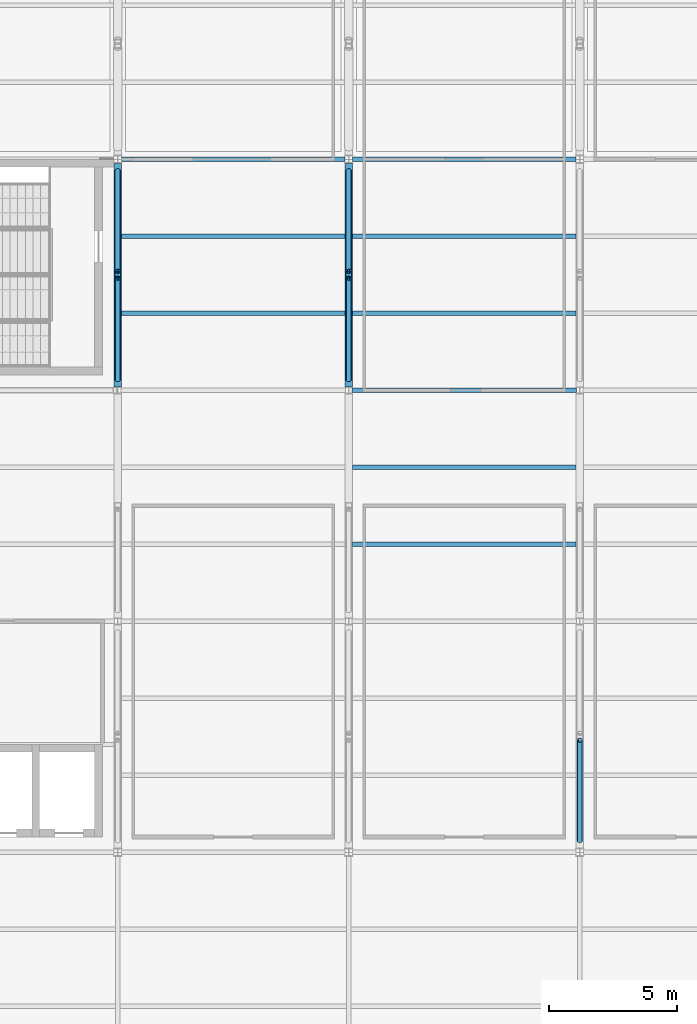
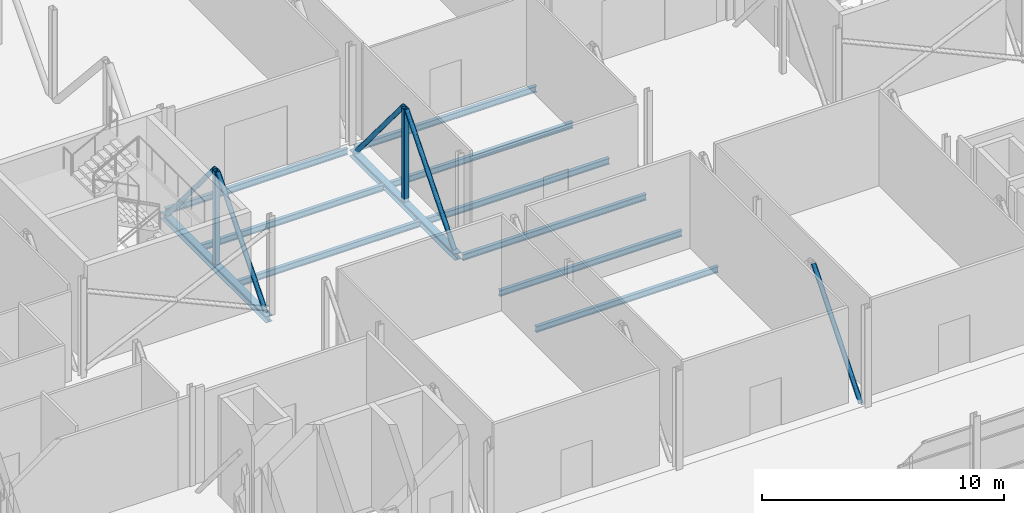
# One storey, part 58 of 94: 11 beams, 7 members.
"""IFC4 building model written with IfcOpenShell, lengths in metres."""

from ifc_helpers import new_model, si_unit, direction, frame, origin, origin_2d, place, context, subcontext, project, spatial, hollow_rectangle, hollow_circle, i_section, extrude, material, material_profile, profile_set, type_object, element, save


model = new_model("IFC4")

# Units and contexts
model_context = context("Model", 3, precision=1e-05, world=origin(), true_north=direction((0.0, 1.0)))
body_context = subcontext(model_context, "Body", "Model", "MODEL_VIEW")
ifc_project = project(units=[si_unit("LENGTHUNIT", "METRE"), si_unit("AREAUNIT", "SQUARE_METRE"), si_unit("VOLUMEUNIT", "CUBIC_METRE"), si_unit("PLANEANGLEUNIT", "RADIAN"), si_unit("MASSUNIT", "GRAM", prefix="KILO")], contexts=[model_context])

# Site, building, storey
site_placement = place(None, origin())
site = spatial("IfcSite", under=ifc_project, at=site_placement, CompositionType="ELEMENT")
building_placement = place(site_placement, origin())
building = spatial("IfcBuilding", under=site, at=building_placement, Name="Shorebreak Coast Museum", CompositionType="ELEMENT")
storey_placement = place(building_placement, frame((0.0, 0.0, 31.0)))
storey = spatial("IfcBuildingStorey", under=building, at=storey_placement, Name="L05", CompositionType="ELEMENT", Elevation=31.0)

# Beams
ifc_material_1 = material(Name="Steel Grade 300", Category="steel")
ifc_material_profile_1 = material_profile(ifc_material_1, i_section(OverallWidth=0.166015625, OverallDepth=0.30712890625, WebThickness=0.006591796875, FlangeThickness=0.01171875, FilletRadius=0.011474609375, at=origin_2d()), Name="310UB46.2")
ifc_profile_set_1 = profile_set([ifc_material_profile_1], Name="Steel Grade 300")
beam_type_1 = type_object("IfcBeamType", Name="Floor girder east-west 310UB46.2", PredefinedType="BEAM", material=ifc_profile_set_1)
beam_placement = place(storey_placement, frame((81.1279296875, 108.0, -0.32861328125), z_axis=(1.0, 0.0, 0.0), x_axis=(0.0, 1.0, 0.0)))
element("IfcBeam", 1, at=beam_placement, inside=storey, type_object=beam_type_1, Name="Floor girder east-west L05 10N", PredefinedType="BEAM", context=body_context, shape_type="SweptSolid", body=[
    extrude(i_section(OverallWidth=0.166015625, OverallDepth=0.30712890625, WebThickness=0.006591796875, FlangeThickness=0.01171875, FilletRadius=0.011474609375, at=origin_2d()), origin(), (0.0, 0.0, 1.0), 8.744140625),
])
for number, where, z_axis, x_axis, name in (
    (2, (72.155517578125, 117.0, -0.32861328125), (1.0, 0.0, 0.0), (0.0, 1.0, 0.0), "Floor girder east-west L05 9P"),
    (3, (81.155517578125, 117.0, -0.32861328125), (1.0, 0.0, 0.0), (0.0, 1.0, 0.0), "Floor girder east-west L05 10P"),
):
    element("IfcBeam", number, at=place(storey_placement, frame(where, z_axis=z_axis, x_axis=x_axis)), inside=storey, type_object=beam_type_1, Name=name, PredefinedType="BEAM", context=body_context, shape_type="SweptSolid", body=[
        extrude(i_section(OverallWidth=0.166015625, OverallDepth=0.30712890625, WebThickness=0.006591796875, FlangeThickness=0.01171875, FilletRadius=0.011474609375, at=origin_2d()), origin(), (0.0, 0.0, 1.0), 8.68896484375),
    ])
ifc_material_2 = material(Name="Steel Grade 300", Category="steel")
ifc_material_profile_2 = material_profile(ifc_material_2, i_section(OverallWidth=0.1650390625, OverallDepth=0.303955078125, WebThickness=0.006103515625, FlangeThickness=0.01025390625, FilletRadius=0.011474609375, at=origin_2d()), Name="310UB40.4")
ifc_profile_set_2 = profile_set([ifc_material_profile_2], Name="Steel Grade 300")
beam_type_2 = type_object("IfcBeamType", Name="Floor joist 310UB40.4", PredefinedType="JOIST", material=ifc_profile_set_2)
for number, where, z_axis, x_axis, name in (
    (4, (81.155517578125, 102.0, -0.326904296875), (1.0, 0.0, 0.0), (0.0, 1.0, 0.0), "Floor joist L05 bay 10M at 3000 mm"),
    (5, (81.155517578125, 105.0, -0.326904296875), (1.0, 0.0, 0.0), (0.0, 1.0, 0.0), "Floor joist L05 bay 10M at 6000 mm"),
    (6, (72.155517578125, 111.0, -0.326904296875), (1.0, 0.0, 0.0), (0.0, 1.0, 0.0), "Floor joist L05 bay 9N at 3000 mm"),
    (7, (72.155517578125, 114.0, -0.326904296875), (1.0, 0.0, 0.0), (0.0, 1.0, 0.0), "Floor joist L05 bay 9N at 6000 mm"),
    (8, (81.155517578125, 111.0, -0.326904296875), (1.0, 0.0, 0.0), (0.0, 1.0, 0.0), "Floor joist L05 bay 10N at 3000 mm"),
    (9, (81.155517578125, 114.0, -0.326904296875), (1.0, 0.0, 0.0), (0.0, 1.0, 0.0), "Floor joist L05 bay 10N at 6000 mm"),
):
    element("IfcBeam", number, at=place(storey_placement, frame(where, z_axis=z_axis, x_axis=x_axis)), inside=storey, type_object=beam_type_2, Name=name, PredefinedType="JOIST", context=body_context, shape_type="SweptSolid", body=[
        extrude(i_section(OverallWidth=0.1650390625, OverallDepth=0.303955078125, WebThickness=0.006103515625, FlangeThickness=0.01025390625, FilletRadius=0.011474609375, at=origin_2d()), origin(), (0.0, 0.0, 1.0), 8.68896484375),
    ])
ifc_material_3 = material(Name="Steel Grade 300", Category="steel")
ifc_material_profile_3 = material_profile(ifc_material_3, i_section(OverallWidth=0.31103515625, OverallDepth=0.3271484375, WebThickness=0.015625, FlangeThickness=0.02490234375, FilletRadius=0.0166015625, at=origin_2d()), Name="310UC158")
ifc_profile_set_3 = profile_set([ifc_material_profile_3], Name="Steel Grade 300")
beam_type_3 = type_object("IfcBeamType", Name="Transfer truss chord 310UC158", PredefinedType="BEAM", material=ifc_profile_set_3)
for number, where, z_axis, x_axis, name in (
    (10, (72.0, 108.1298828125, -0.338623046875), (0.0, 1.0, 0.0), (-1.0, 0.0, 0.0), "Transfer truss TR3 chord C03"),
    (11, (81.0, 108.1298828125, -0.338623046875), (0.0, 1.0, 0.0), (-1.0, 0.0, 0.0), "Transfer truss TR4 chord C03"),
):
    element("IfcBeam", number, at=place(storey_placement, frame(where, z_axis=z_axis, x_axis=x_axis)), inside=storey, type_object=beam_type_3, Name=name, PredefinedType="BEAM", context=body_context, shape_type="SweptSolid", body=[
        extrude(i_section(OverallWidth=0.31103515625, OverallDepth=0.3271484375, WebThickness=0.015625, FlangeThickness=0.02490234375, FilletRadius=0.0166015625, at=origin_2d()), origin(), (0.0, 0.0, 1.0), 8.70654296875),
    ])

# Members
ifc_material_4 = material(Name="Steel Grade C350L0", Category="steel")
ifc_material_profile_4 = material_profile(ifc_material_4, hollow_circle(Radius=0.109619140625, WallThickness=0.00830078125, at=origin_2d()), Name="219.1x8.2 CHS")
ifc_profile_set_4 = profile_set([ifc_material_profile_4], Name="Steel Grade C350L0")
member_type_1 = type_object("IfcMemberType", Name="Transfer truss diagonal 219.1x8.2 CHS", PredefinedType="BRACE", material=ifc_profile_set_4)
member_1_placement = place(storey_placement, frame((72.0, 108.41796875, -0.175048828125), z_axis=(0.0, 0.644727508452, 0.764412480174), x_axis=(-1.0, 0.0, 0.0)))
element("IfcMember", 12, at=member_1_placement, inside=storey, type_object=member_type_1, Name="Transfer truss TR3 diagonal D04", PredefinedType="BRACE", context=body_context, shape_type="SweptSolid", body=[
    extrude(hollow_circle(Radius=0.109619140625, WallThickness=0.00830078125, at=origin_2d()), origin(), (0.0, 0.0, 1.0), 6.12158203125),
])
member_2_placement = place(storey_placement, frame((72.0, 116.549560546875, -0.175048828125), z_axis=(0.0, -0.641729837353, 0.76693077644), x_axis=(1.0, 0.0, 0.0)))
element("IfcMember", 13, at=member_2_placement, inside=storey, type_object=member_type_1, Name="Transfer truss TR3 diagonal D05", PredefinedType="BRACE", context=body_context, shape_type="SweptSolid", body=[
    extrude(hollow_circle(Radius=0.109619140625, WallThickness=0.00830078125, at=origin_2d()), origin(), (0.0, 0.0, 1.0), 6.1015625),
])
member_3_placement = place(storey_placement, frame((81.0, 108.41796875, -0.175048828125), z_axis=(0.0, 0.644727508452, 0.764412480174), x_axis=(-1.0, 0.0, 0.0)))
element("IfcMember", 14, at=member_3_placement, inside=storey, type_object=member_type_1, Name="Transfer truss TR4 diagonal D04", PredefinedType="BRACE", context=body_context, shape_type="SweptSolid", body=[
    extrude(hollow_circle(Radius=0.109619140625, WallThickness=0.00830078125, at=origin_2d()), origin(), (0.0, 0.0, 1.0), 6.12158203125),
])
for number, where, z_axis, x_axis, name in (
    (15, (81.0, 116.549560546875, -0.175048828125), (0.0, -0.641729837353, 0.76693077644), (1.0, 0.0, 0.0), "Transfer truss TR4 diagonal D05"),
    (16, (90.0, 90.450439453125, -0.175048828125), (0.0, 0.641729837353, 0.76693077644), (-1.0, 0.0, 0.0), "Transfer truss TR5 diagonal D01"),
):
    element("IfcMember", number, at=place(storey_placement, frame(where, z_axis=z_axis, x_axis=x_axis)), inside=storey, type_object=member_type_1, Name=name, PredefinedType="BRACE", context=body_context, shape_type="SweptSolid", body=[
        extrude(hollow_circle(Radius=0.109619140625, WallThickness=0.00830078125, at=origin_2d()), origin(), (0.0, 0.0, 1.0), 6.1015625),
    ])
ifc_material_5 = material(Name="Steel Grade C450L0", Category="steel")
ifc_material_profile_5 = material_profile(ifc_material_5, hollow_rectangle(XDim=0.25, YDim=0.25, WallThickness=0.012451171875, InnerFilletRadius=0.018798828125, OuterFilletRadius=0.03125, at=origin_2d()), Name="250x250x12.5 SHS")
ifc_profile_set_5 = profile_set([ifc_material_profile_5], Name="Steel Grade C450L0")
member_type_2 = type_object("IfcMemberType", Name="Transfer truss strut 250x250x12.5 SHS", PredefinedType="STRUT", material=ifc_profile_set_5)
for number, where, z_axis, x_axis, name in (
    (17, (72.0, 112.5, -0.175048828125), (0.0, 0.0, 1.0), (1.0, 0.0, 0.0), "Transfer truss TR3 strut V03"),
    (18, (81.0, 112.5, -0.175048828125), (0.0, 0.0, 1.0), (1.0, 0.0, 0.0), "Transfer truss TR4 strut V03"),
):
    element("IfcMember", number, at=place(storey_placement, frame(where, z_axis=z_axis, x_axis=x_axis)), inside=storey, type_object=member_type_2, Name=name, PredefinedType="STRUT", context=body_context, shape_type="SweptSolid", body=[
        extrude(hollow_rectangle(XDim=0.25, YDim=0.25, WallThickness=0.012451171875, InnerFilletRadius=0.018798828125, OuterFilletRadius=0.03125, at=origin_2d()), origin(), (0.0, 0.0, 1.0), 4.679443359375),
    ])

save(model, "model.ifc")
